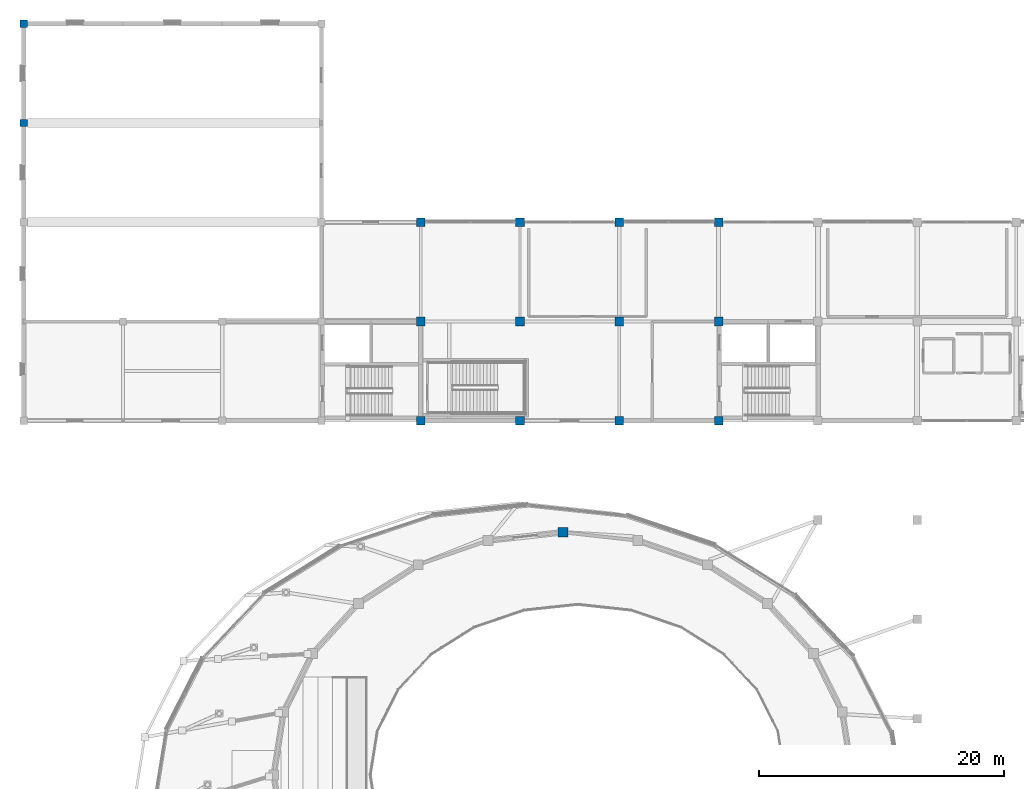
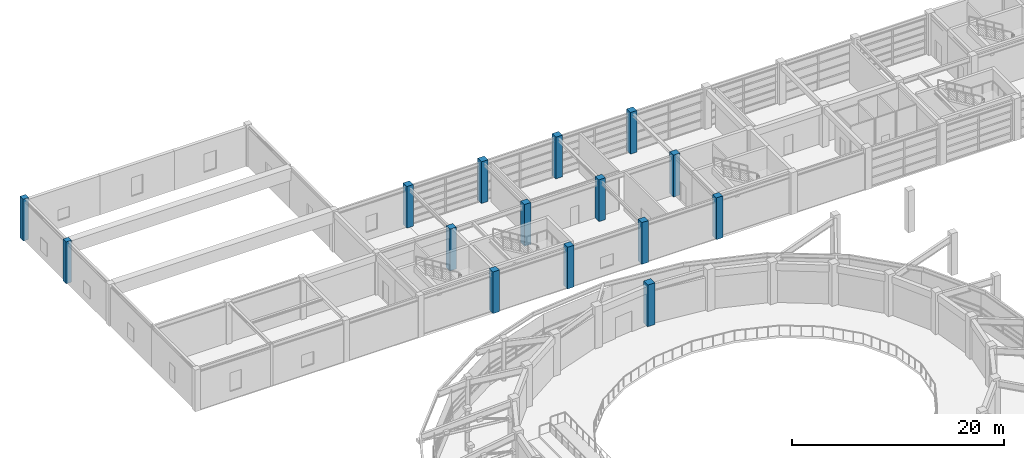
# One storey, part 9 of 58: 15 columns.
"""IFC4 building model written with IfcOpenShell, lengths in metres."""

from ifc_helpers import new_model, si_unit, direction, frame, origin, origin_2d, place, context, subcontext, project, spatial, rectangle, extrude, material, material_profile, profile_set, type_object, element, save


model = new_model("IFC4")

# Units and contexts
model_context = context("Model", 3, precision=1e-05, world=origin(), true_north=direction((0.0, 1.0)))
body_context = subcontext(model_context, "Body", "Model", "MODEL_VIEW")
ifc_project = project(units=[si_unit("LENGTHUNIT", "METRE"), si_unit("AREAUNIT", "SQUARE_METRE"), si_unit("VOLUMEUNIT", "CUBIC_METRE"), si_unit("PLANEANGLEUNIT", "RADIAN"), si_unit("MASSUNIT", "GRAM", prefix="KILO")], contexts=[model_context])

# Site, building, storey
site_placement = place(None, origin())
site = spatial("IfcSite", under=ifc_project, at=site_placement, CompositionType="ELEMENT")
building_placement = place(site_placement, origin())
building = spatial("IfcBuilding", under=site, at=building_placement, Name="Parian Resonance Hall", CompositionType="ELEMENT")
storey_placement = place(building_placement, frame((0.0, 0.0, 10.199951171875)))
storey = spatial("IfcBuildingStorey", under=building, at=storey_placement, Name="L02", CompositionType="ELEMENT", Elevation=10.199951171875)

# Columns
ifc_material_1 = material(Name="Concrete C40/50", Category="concrete")
ifc_material_profile_1 = material_profile(ifc_material_1, rectangle(XDim=0.60009765625, YDim=0.60009765625, at=origin_2d()), Name="RC-COL-600x600")
ifc_profile_set_1 = profile_set([ifc_material_profile_1], Name="Concrete C40/50")
column_type_1 = type_object("IfcColumnType", Name="COL-RC600", PredefinedType="COLUMN", material=ifc_profile_set_1)
for number, where, z_axis, x_axis, name in (
    (1, (0.0, 97.199951171875, 0.0), (0.0, 0.0, 1.0), (1.0, 0.0, 0.0), "Column G01-13 L02"),
    (2, (0.0, 105.300048828125, 0.0), (0.0, 0.0, 1.0), (1.0, 0.0, 0.0), "Column G01-14 L02"),
):
    element("IfcColumn", number, at=place(storey_placement, frame(where, z_axis=z_axis, x_axis=x_axis)), inside=storey, type_object=column_type_1, Name=name, PredefinedType="COLUMN", context=body_context, shape_type="SweptSolid", body=[
        extrude(rectangle(XDim=0.60009765625, YDim=0.60009765625, at=origin_2d()), origin(), (0.0, 0.0, 1.0), 4.800048828125),
    ])
ifc_material_2 = material(Name="Concrete C40/50", Category="concrete")
ifc_material_profile_2 = material_profile(ifc_material_2, rectangle(XDim=0.699951171875, YDim=0.699951171875, at=origin_2d()), Name="RC-COL-700x700")
ifc_profile_set_2 = profile_set([ifc_material_profile_2], Name="Concrete C40/50")
column_type_2 = type_object("IfcColumnType", Name="COL-RC700", PredefinedType="COLUMN", material=ifc_profile_set_2)
for number, where, z_axis, x_axis, name in (
    (3, (32.39990234375, 72.89990234375, 0.0), (0.0, 0.0, 1.0), (1.0, 0.0, 0.0), "Column G05-10 L02"),
    (4, (32.39990234375, 81.0, 0.0), (0.0, 0.0, 1.0), (1.0, 0.0, 0.0), "Column G05-11 L02"),
    (5, (32.39990234375, 89.10009765625, 0.0), (0.0, 0.0, 1.0), (1.0, 0.0, 0.0), "Column G05-12 L02"),
    (6, (40.5, 72.89990234375, 0.0), (0.0, 0.0, 1.0), (1.0, 0.0, 0.0), "Column G06-10 L02"),
    (7, (40.5, 81.0, 0.0), (0.0, 0.0, 1.0), (1.0, 0.0, 0.0), "Column G06-11 L02"),
    (8, (40.5, 89.10009765625, 0.0), (0.0, 0.0, 1.0), (1.0, 0.0, 0.0), "Column G06-12 L02"),
    (9, (48.60009765625, 72.89990234375, 0.0), (0.0, 0.0, 1.0), (1.0, 0.0, 0.0), "Column G07-10 L02"),
    (10, (48.60009765625, 81.0, 0.0), (0.0, 0.0, 1.0), (1.0, 0.0, 0.0), "Column G07-11 L02"),
    (11, (48.60009765625, 89.10009765625, 0.0), (0.0, 0.0, 1.0), (1.0, 0.0, 0.0), "Column G07-12 L02"),
    (12, (56.699951171875, 72.89990234375, 0.0), (0.0, 0.0, 1.0), (1.0, 0.0, 0.0), "Column G08-10 L02"),
    (13, (56.699951171875, 81.0, 0.0), (0.0, 0.0, 1.0), (1.0, 0.0, 0.0), "Column G08-11 L02"),
    (14, (56.699951171875, 89.10009765625, 0.0), (0.0, 0.0, 1.0), (1.0, 0.0, 0.0), "Column G08-12 L02"),
):
    element("IfcColumn", number, at=place(storey_placement, frame(where, z_axis=z_axis, x_axis=x_axis)), inside=storey, type_object=column_type_2, Name=name, PredefinedType="COLUMN", context=body_context, shape_type="SweptSolid", body=[
        extrude(rectangle(XDim=0.699951171875, YDim=0.699951171875, at=origin_2d()), origin(), (0.0, 0.0, 1.0), 4.800048828125),
    ])
ifc_material_3 = material(Name="Concrete C40/50", Category="concrete")
ifc_material_profile_3 = material_profile(ifc_material_3, rectangle(XDim=0.800048828125, YDim=0.800048828125, at=origin_2d()), Name="RC-COL-800x800")
ifc_profile_set_3 = profile_set([ifc_material_profile_3], Name="Concrete C40/50")
column_type_3 = type_object("IfcColumnType", Name="COL-RC800", PredefinedType="COLUMN", material=ifc_profile_set_3)
column_placement = place(storey_placement, frame((44.0, 63.800048828125, 0.0), z_axis=(0.0, 0.0, 1.0), x_axis=(1.0, 0.0, 0.0)))
element("IfcColumn", 15, at=column_placement, inside=storey, type_object=column_type_3, Name="Column DRM-07 L02", PredefinedType="COLUMN", context=body_context, shape_type="SweptSolid", body=[
    extrude(rectangle(XDim=0.800048828125, YDim=0.800048828125, at=origin_2d()), origin(), (0.0, 0.0, 1.0), 4.800048828125),
])

save(model, "model.ifc")
